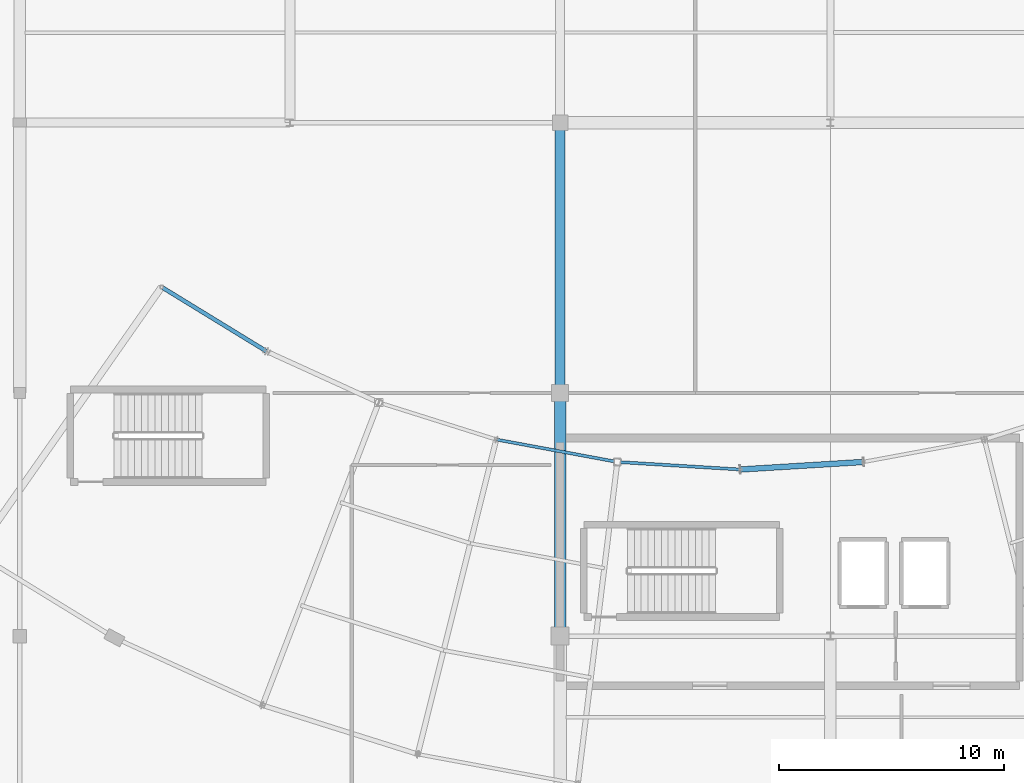
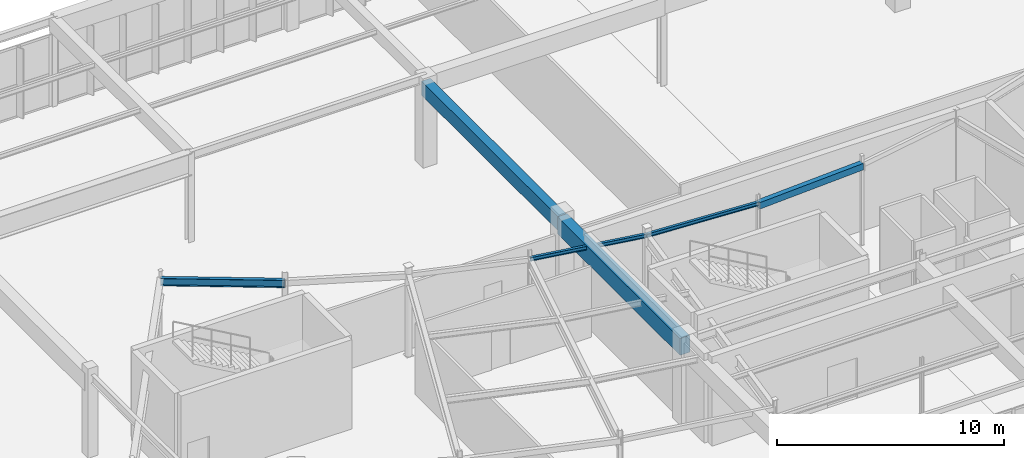
# One storey, part 61 of 186: 6 beams.
"""IFC4 building model written with IfcOpenShell, lengths in metres."""

from ifc_helpers import new_model, si_unit, direction, frame, origin, origin_2d, place, context, subcontext, project, spatial, rectangle, hollow_rectangle, i_section, extrude, material, material_profile, profile_set, type_object, element, save


model = new_model("IFC4")

# Units and contexts
model_context = context("Model", 3, precision=1e-05, world=origin(), true_north=direction((0.0, 1.0)))
body_context = subcontext(model_context, "Body", "Model", "MODEL_VIEW")
ifc_project = project(units=[si_unit("LENGTHUNIT", "METRE"), si_unit("AREAUNIT", "SQUARE_METRE"), si_unit("VOLUMEUNIT", "CUBIC_METRE"), si_unit("PLANEANGLEUNIT", "RADIAN"), si_unit("MASSUNIT", "GRAM", prefix="KILO")], contexts=[model_context])

# Site, building, storey
site_placement = place(None, origin())
site = spatial("IfcSite", under=ifc_project, at=site_placement, CompositionType="ELEMENT")
building_placement = place(site_placement, origin())
building = spatial("IfcBuilding", under=site, at=building_placement, Name="Tarnwether General Hospital", CompositionType="ELEMENT")
storey_placement = place(building_placement, frame((0.0, 0.0, 9.60009765625)))
storey = spatial("IfcBuildingStorey", under=building, at=storey_placement, Name="L02", CompositionType="ELEMENT", Elevation=9.60009765625)

# Beams
ifc_material_1 = material(Name="Concrete 40 MPa", Category="concrete")
ifc_material_profile_1 = material_profile(ifc_material_1, rectangle(XDim=0.5, YDim=0.89990234375, at=origin_2d()), Name="RC-BM-500x900")
ifc_profile_set_1 = profile_set([ifc_material_profile_1], Name="Concrete 40 MPa")
beam_type_1 = type_object("IfcBeamType", Name="BM-G12", PredefinedType="BEAM", material=ifc_profile_set_1)
beam_1_placement = place(storey_placement, frame((84.0, 10.800048828125, 3.97998046875), z_axis=(0.0, 1.0, 0.0), x_axis=(-1.0, 0.0, 0.0)))
element("IfcBeam", 1, at=beam_1_placement, inside=storey, type_object=beam_type_1, Name="Primary Girder BMG-L02-8400_1080-8400_2160-1508", PredefinedType="BEAM", context=body_context, shape_type="SweptSolid", body=[
    extrude(rectangle(XDim=0.5, YDim=0.89990234375, at=origin_2d()), origin(), (0.0, 0.0, 1.0), 10.800048828125),
])
ifc_material_2 = material(Name="Concrete 40 MPa", Category="concrete")
ifc_material_profile_2 = material_profile(ifc_material_2, rectangle(XDim=0.449951171875, YDim=0.75, at=origin_2d()), Name="RC-BM-450x750")
ifc_profile_set_2 = profile_set([ifc_material_profile_2], Name="Concrete 40 MPa")
beam_type_2 = type_object("IfcBeamType", Name="BM-G13", PredefinedType="BEAM", material=ifc_profile_set_2)
beam_2_placement = place(storey_placement, frame((84.0, 21.60009765625, 4.054931640625), z_axis=(0.0, 1.0, 0.0), x_axis=(-1.0, 0.0, 0.0)))
element("IfcBeam", 2, at=beam_2_placement, inside=storey, type_object=beam_type_2, Name="Primary Girder BMG-L02-8400_2160-8400_3360-1509", PredefinedType="BEAM", context=body_context, shape_type="SweptSolid", body=[
    extrude(rectangle(XDim=0.449951171875, YDim=0.75, at=origin_2d()), origin(), (0.0, 0.0, 1.0), 12.0),
])
ifc_material_3 = material(Name="Steel Grade 350 (350 MPa)", Category="steel")
ifc_material_profile_3 = material_profile(ifc_material_3, i_section(OverallWidth=0.177978515625, OverallDepth=0.403076171875, WebThickness=0.007568359375, FlangeThickness=0.010986328125, at=origin_2d()), Name="410UB53.7")
ifc_profile_set_3 = profile_set([ifc_material_profile_3], Name="Steel Grade 350 (350 MPa)")
beam_type_3 = type_object("IfcBeamType", Name="BM-SP2", PredefinedType="SPANDREL", material=ifc_profile_set_3)
beam_3_placement = place(storey_placement, frame((66.303955078125, 26.302001953125, 4.228515625), z_axis=(0.85265897909, -0.522467860617, 0.0), x_axis=(0.522467860617, 0.85265897909, 0.0)))
element("IfcBeam", 3, at=beam_3_placement, inside=storey, type_object=beam_type_3, Name="Curved Ward SE Inner Spandrel BMG-L02-6630_2630-7097_2344-2075", PredefinedType="SPANDREL", context=body_context, shape_type="SweptSolid", body=[
    extrude(i_section(OverallWidth=0.177978515625, OverallDepth=0.403076171875, WebThickness=0.007568359375, FlangeThickness=0.010986328125, at=origin_2d()), origin(), (0.0, 0.0, 1.0), 5.469970703125),
])
ifc_material_4 = material(Name="Steel Grade 350 (350 MPa)", Category="steel")
ifc_material_profile_4 = material_profile(ifc_material_4, i_section(OverallWidth=0.133056640625, OverallDepth=0.202880859375, WebThickness=0.005859375, FlangeThickness=0.0078125, at=origin_2d()), Name="200UB25.4")
ifc_profile_set_4 = profile_set([ifc_material_profile_4], Name="Steel Grade 350 (350 MPa)")
beam_type_4 = type_object("IfcBeamType", Name="BM-SP5", PredefinedType="SPANDREL", material=ifc_profile_set_4)
beam_4_placement = place(storey_placement, frame((81.162109375, 19.531005859375, 4.328369140625), z_axis=(0.983244096291, -0.18229384825, 0.0), x_axis=(0.18229384825, 0.983244096291, 0.0)))
element("IfcBeam", 4, at=beam_4_placement, inside=storey, type_object=beam_type_4, Name="Curved Ward SE Inner Spandrel BMG-L02-8116_1953-8654_1853-2083", PredefinedType="SPANDREL", context=body_context, shape_type="SweptSolid", body=[
    extrude(i_section(OverallWidth=0.133056640625, OverallDepth=0.202880859375, WebThickness=0.005859375, FlangeThickness=0.0078125, at=origin_2d()), origin(), (0.0, 0.0, 1.0), 5.469482421875),
])
ifc_material_5 = material(Name="Steel Grade 350 (350 MPa)", Category="steel")
ifc_material_profile_5 = material_profile(ifc_material_5, i_section(OverallWidth=0.133056640625, OverallDepth=0.201904296875, WebThickness=0.0048828125, FlangeThickness=0.007080078125, at=origin_2d()), Name="200UB22.3")
ifc_profile_set_5 = profile_set([ifc_material_profile_5], Name="Steel Grade 350 (350 MPa)")
beam_type_5 = type_object("IfcBeamType", Name="BM-SP6", PredefinedType="SPANDREL", material=ifc_profile_set_5)
beam_5_placement = place(storey_placement, frame((86.5400390625, 18.533935546875, 4.328857421875), z_axis=(0.998134365538, -0.061055616708, 0.0), x_axis=(0.061055616708, 0.998134365538, 0.0)))
element("IfcBeam", 5, at=beam_5_placement, inside=storey, type_object=beam_type_5, Name="Curved Ward SE Inner Spandrel BMG-L02-8654_1853-9200_1820-2086", PredefinedType="SPANDREL", context=body_context, shape_type="SweptSolid", body=[
    extrude(i_section(OverallWidth=0.133056640625, OverallDepth=0.201904296875, WebThickness=0.0048828125, FlangeThickness=0.007080078125, at=origin_2d()), origin(), (0.0, 0.0, 1.0), 5.47021484375),
])
ifc_material_6 = material(Name="Steel Grade C350L0 (350 MPa)", Category="steel")
ifc_material_profile_6 = material_profile(ifc_material_6, hollow_rectangle(XDim=0.25, YDim=0.35009765625, WallThickness=0.012451171875, at=origin_2d()), Name="RHS350x250x12.5")
ifc_profile_set_6 = profile_set([ifc_material_profile_6], Name="Steel Grade C350L0 (350 MPa)")
beam_type_6 = type_object("IfcBeamType", Name="BM-SP7", PredefinedType="SPANDREL", material=ifc_profile_set_6)
beam_6_placement = place(storey_placement, frame((92.0, 18.199951171875, 4.2548828125), z_axis=(0.998134365538, 0.061055616708, 0.0), x_axis=(-0.061055616708, 0.998134365538, 0.0)))
element("IfcBeam", 6, at=beam_6_placement, inside=storey, type_object=beam_type_6, Name="Curved Ward SE Inner Spandrel BMG-L02-9200_1820-9746_1853-2087", PredefinedType="SPANDREL", context=body_context, shape_type="SweptSolid", body=[
    extrude(hollow_rectangle(XDim=0.25, YDim=0.35009765625, WallThickness=0.012451171875, at=origin_2d()), origin(), (0.0, 0.0, 1.0), 5.47021484375),
])

save(model, "model.ifc")
